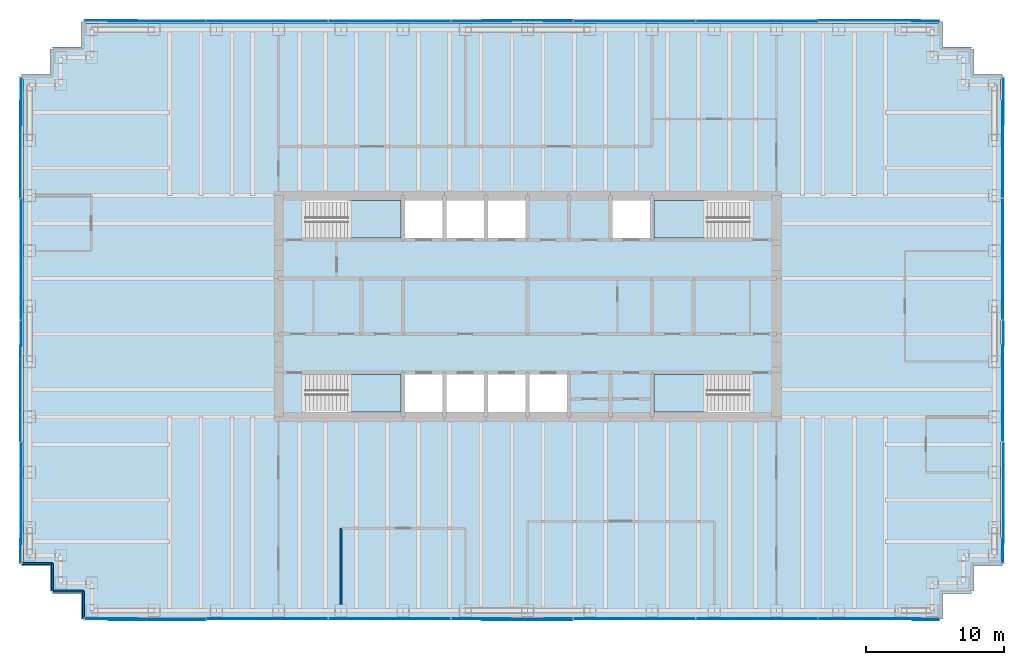
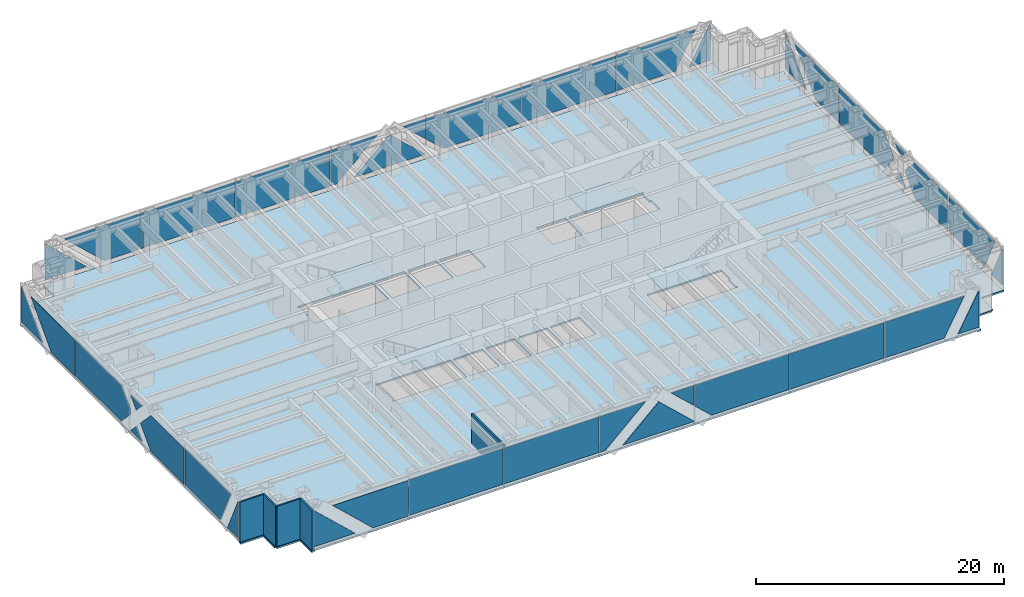
# One storey, part 10 of 15: 38 plates, 5 slabs, 5 walls, 8 elements without a shape of their own.
"""IFC4 building model written with IfcOpenShell, lengths in metres."""

from ifc_helpers import new_model, si_unit, direction, frame, frame_2d, origin, origin_2d, place, context, subcontext, project, spatial, polyline, rectangle, outline, extrude, material, layer, layer_set, type_object, element, aggregate, save


model = new_model("IFC4")

# Units and contexts
model_context = context("Model", 3, precision=1e-05, world=origin(), true_north=direction((0.0, 1.0)))
body_context = subcontext(model_context, "Body", "Model", "MODEL_VIEW")
ifc_project = project(units=[si_unit("LENGTHUNIT", "METRE"), si_unit("AREAUNIT", "SQUARE_METRE"), si_unit("VOLUMEUNIT", "CUBIC_METRE"), si_unit("PLANEANGLEUNIT", "RADIAN"), si_unit("MASSUNIT", "GRAM", prefix="KILO")], contexts=[model_context])

# Site, building, storey
site_placement = place(None, origin())
site = spatial("IfcSite", under=ifc_project, at=site_placement, CompositionType="ELEMENT")
building_placement = place(site_placement, origin())
building = spatial("IfcBuilding", under=site, at=building_placement, Name="Rheinbord Bourse Tower", CompositionType="ELEMENT")
storey_placement = place(building_placement, frame((0.0, 0.0, 329.89990234375)))
storey = spatial("IfcBuildingStorey", under=building, at=storey_placement, Name="L75", CompositionType="ELEMENT", Elevation=329.89990234375)

# Slab
ifc_material_1 = material(Name="Concrete C30/37", Category="concrete")
ifc_layer_1 = layer(ifc_material_1, 0.159912109375)
ifc_layer_set_1 = layer_set([ifc_layer_1], Name="COMPOSITE FLOOR SLAB 160")
slab_type_1 = type_object("IfcSlabType", Name="COMPOSITE FLOOR SLAB 160", PredefinedType="FLOOR", material=ifc_layer_set_1)
slab_1_placement = place(storey_placement, frame((0.0, 0.0, -0.159912109375)))
element("IfcSlab", 1, at=slab_1_placement, inside=storey, type_object=slab_type_1, Name="Floor slab L75", PredefinedType="FLOOR", context=body_context, shape_type="SweptSolid", body=[
    extrude(outline(polyline([(1.64990234375, 3.39990234375), (1.5, 3.39990234375), (1.5, 5.25), (-0.60009765625, 5.25), (-0.60009765625, 5.550048828125), (-0.5, 5.550048828125), (-0.5, 40.449951171875), (-0.60009765625, 40.449951171875), (-0.60009765625, 40.75), (1.5, 40.75), (1.5, 42.60009765625), (1.64990234375, 42.60009765625), (1.64990234375, 42.75), (3.75, 42.75), (3.75, 44.60009765625), (4.050048828125, 44.60009765625), (4.050048828125, 44.5), (65.699951171875, 44.5), (65.699951171875, 44.60009765625), (66.0, 44.60009765625), (66.0, 42.75), (68.10009765625, 42.75), (68.10009765625, 42.60009765625), (68.25, 42.60009765625), (68.25, 40.75), (70.35009765625, 40.75), (70.35009765625, 40.449951171875), (70.25, 40.449951171875), (70.25, 5.550048828125), (70.35009765625, 5.550048828125), (70.35009765625, 5.25), (68.25, 5.25), (68.25, 3.39990234375), (68.10009765625, 3.39990234375), (68.10009765625, 3.25), (66.0, 3.25), (66.0, 1.39990234375), (65.699951171875, 1.39990234375), (65.699951171875, 1.5), (4.050048828125, 1.5), (4.050048828125, 1.39990234375), (3.75, 1.39990234375), (3.75, 3.25), (1.64990234375, 3.25), (1.64990234375, 3.39990234375)]), holes=[polyline([(19.949951171875, 19.050048828125), (26.85009765625, 19.050048828125), (26.85009765625, 16.35009765625), (19.949951171875, 16.35009765625), (19.949951171875, 16.449951171875), (20.10009765625, 16.449951171875), (20.10009765625, 17.64990234375), (19.949951171875, 17.64990234375), (19.949951171875, 19.050048828125)]), polyline([(19.949951171875, 31.64990234375), (26.85009765625, 31.64990234375), (26.85009765625, 28.949951171875), (19.949951171875, 28.949951171875), (19.949951171875, 30.35009765625), (20.10009765625, 30.35009765625), (20.10009765625, 31.550048828125), (19.949951171875, 31.550048828125), (19.949951171875, 31.64990234375)]), polyline([(52.050048828125, 16.35009765625), (45.14990234375, 16.35009765625), (45.14990234375, 19.050048828125), (52.050048828125, 19.050048828125), (52.050048828125, 17.64990234375), (51.89990234375, 17.64990234375), (51.89990234375, 16.449951171875), (52.050048828125, 16.449951171875), (52.050048828125, 16.35009765625)]), polyline([(52.050048828125, 28.949951171875), (45.14990234375, 28.949951171875), (45.14990234375, 31.64990234375), (52.050048828125, 31.64990234375), (52.050048828125, 31.550048828125), (51.89990234375, 31.550048828125), (51.89990234375, 30.35009765625), (52.050048828125, 30.35009765625), (52.050048828125, 28.949951171875)]), polyline([(27.14990234375, 16.35009765625), (27.14990234375, 19.050048828125), (29.85009765625, 19.050048828125), (29.85009765625, 16.35009765625), (27.14990234375, 16.35009765625)]), polyline([(27.14990234375, 28.949951171875), (27.14990234375, 31.64990234375), (29.85009765625, 31.64990234375), (29.85009765625, 28.949951171875), (27.14990234375, 28.949951171875)]), polyline([(30.14990234375, 16.35009765625), (30.14990234375, 19.050048828125), (32.85009765625, 19.050048828125), (32.85009765625, 16.35009765625), (30.14990234375, 16.35009765625)]), polyline([(30.14990234375, 28.949951171875), (30.14990234375, 31.64990234375), (32.85009765625, 31.64990234375), (32.85009765625, 28.949951171875), (30.14990234375, 28.949951171875)]), polyline([(33.14990234375, 16.35009765625), (33.14990234375, 19.050048828125), (35.85009765625, 19.050048828125), (35.85009765625, 16.35009765625), (33.14990234375, 16.35009765625)]), polyline([(33.14990234375, 28.949951171875), (33.14990234375, 31.64990234375), (35.85009765625, 31.64990234375), (35.85009765625, 28.949951171875), (33.14990234375, 28.949951171875)]), polyline([(36.14990234375, 16.35009765625), (36.14990234375, 19.050048828125), (38.85009765625, 19.050048828125), (38.85009765625, 16.35009765625), (36.14990234375, 16.35009765625)]), polyline([(42.14990234375, 28.949951171875), (42.14990234375, 31.64990234375), (44.85009765625, 31.64990234375), (44.85009765625, 28.949951171875), (42.14990234375, 28.949951171875)])]), origin(), (0.0, 0.0, 1.0), 0.159912109375),
])

# Curtain wall, plates
ifc_material_2 = material(Name="Dark glass and black aluminium", Category="aluminium")
curtain_wall_type = type_object("IfcCurtainWallType", Name="CW3 DARK GLASS CURTAIN WALL", PredefinedType="USERDEFINED", material=ifc_material_2)
curtain_wall_1_placement = place(storey_placement, origin())
curtain_wall_1 = element("IfcCurtainWall", 2, at=curtain_wall_1_placement, inside=storey, type_object=curtain_wall_type, Name="Curtain wall CW3 S L75", ObjectType="UNITISED CURTAIN WALL", PredefinedType="USERDEFINED")
ifc_material_3 = material(Name="Dark tinted triple insulating glass", Category="glass")
ifc_layer_2 = layer(ifc_material_3, 0.055908203125)
ifc_layer_set_2 = layer_set([ifc_layer_2], Name="CW3 DARK GLASS PANEL")
plate_type = type_object("IfcPlateType", Name="CW3 DARK GLASS PANEL", PredefinedType="CURTAIN_PANEL", material=ifc_layer_set_2)
plate_1_placement = place(storey_placement, frame((17.175048828125, 1.39990234375, 0.35009765625), z_axis=(0.0, 0.0, 1.0), x_axis=(1.0, 0.0, 0.0)))
plate_1 = element("IfcPlate", 3, at=plate_1_placement, type_object=plate_type, Name="CW3 panel 2.1", PredefinedType="CURTAIN_PANEL", context=body_context, shape_type="SweptSolid", body=[
    extrude(rectangle(XDim=8.784912109375, YDim=0.055908203125, at=origin_2d()), origin(), (0.0, 0.0, 1.0), 3.5),
])
plate_2_placement = place(storey_placement, frame((26.02490234375, 1.39990234375, 0.35009765625), z_axis=(0.0, 0.0, 1.0), x_axis=(1.0, 0.0, 0.0)))
plate_2 = element("IfcPlate", 4, at=plate_2_placement, type_object=plate_type, Name="CW3 panel 3.1", PredefinedType="CURTAIN_PANEL", context=body_context, shape_type="SweptSolid", body=[
    extrude(rectangle(XDim=8.784912109375, YDim=0.055908203125, at=origin_2d()), origin(), (0.0, 0.0, 1.0), 3.5),
])
plate_3_placement = place(storey_placement, frame((52.574951171875, 1.39990234375, 0.35009765625), z_axis=(0.0, 0.0, 1.0), x_axis=(1.0, 0.0, 0.0)))
plate_3 = element("IfcPlate", 5, at=plate_3_placement, type_object=plate_type, Name="CW3 panel 6.1", PredefinedType="CURTAIN_PANEL", context=body_context, shape_type="SweptSolid", body=[
    extrude(rectangle(XDim=8.784912109375, YDim=0.055908203125, at=origin_2d()), origin(), (0.0, 0.0, 1.0), 3.5),
])
plate_4_placement = place(storey_placement, frame((3.965087890625, 1.3720703125, 0.35009765625), z_axis=(0.0, 1.0, 0.0), x_axis=(0.0, 0.0, 1.0)))
plate_4 = element("IfcPlate", 6, at=plate_4_placement, type_object=plate_type, Name="CW3 glass facet 1", PredefinedType="CURTAIN_PANEL", context=body_context, shape_type="SweptSolid", body=[
    extrude(outline(polyline([(0.0, 0.0), (3.5, 0.0), (3.5, 0.097900390625), (0.0, 3.847900390625), (0.0, 0.0)])), origin(), (0.0, 0.0, 1.0), 0.055908203125),
])
plate_5_placement = place(storey_placement, frame((12.717041015625, 1.31103515625, 3.85009765625), z_axis=(0.0, 1.0, 0.0), x_axis=(0.0, 0.0, -1.0)))
plate_5 = element("IfcPlate", 7, at=plate_5_placement, type_object=plate_type, Name="CW3 glass facet 2", PredefinedType="CURTAIN_PANEL", context=body_context, shape_type="SweptSolid", body=[
    extrude(outline(polyline([(0.0, 0.0), (3.5, 0.0), (3.5, 3.280029296875), (0.0, 7.030029296875), (0.0, 0.0)])), origin(), (0.0, 0.0, 1.0), 0.055908203125),
])
plate_6_placement = place(storey_placement, frame((30.48193359375, 1.3720703125, 0.35009765625), z_axis=(0.0, 1.0, 0.0), x_axis=(0.0, 0.0, 1.0)))
plate_6 = element("IfcPlate", 8, at=plate_6_placement, type_object=plate_type, Name="CW3 glass facet 1", PredefinedType="CURTAIN_PANEL", context=body_context, shape_type="SweptSolid", body=[
    extrude(outline(polyline([(0.0, 0.0), (3.5, 0.0), (3.5, 4.3310546875), (0.0, 0.5810546875), (0.0, 0.0)])), origin(), (0.0, 0.0, 1.0), 0.055908203125),
])
plate_7_placement = place(storey_placement, frame((39.26806640625, 1.31103515625, 0.35009765625), z_axis=(0.0, 1.0, 0.0), x_axis=(-1.0, 0.0, 0.0)))
plate_7 = element("IfcPlate", 9, at=plate_7_placement, type_object=plate_type, Name="CW3 glass facet 2", PredefinedType="CURTAIN_PANEL", context=body_context, shape_type="SweptSolid", body=[
    extrude(outline(polyline([(0.0, 0.0), (6.5810546875, 0.0), (3.26806640625, 3.092041015625), (0.0, 0.04296875), (0.0, 0.0)])), origin(), (0.0, 0.0, 1.0), 0.055908203125),
])
plate_8_placement = place(storey_placement, frame((39.26806640625, 1.3720703125, 3.85009765625), z_axis=(0.0, 1.0, 0.0), x_axis=(0.0, 0.0, -1.0)))
plate_8 = element("IfcPlate", 10, at=plate_8_placement, type_object=plate_type, Name="CW3 glass facet 3", PredefinedType="CURTAIN_PANEL", context=body_context, shape_type="SweptSolid", body=[
    extrude(outline(polyline([(0.0, 0.0), (1.94189453125, 0.0), (0.0, 2.0810546875), (0.0, 0.0)])), origin(), (0.0, 0.0, 1.0), 0.055908203125),
])
plate_9_placement = place(storey_placement, frame((39.3330078125, 1.3720703125, 3.85009765625), z_axis=(0.0, 1.0, 0.0), x_axis=(1.0, 0.0, 0.0)))
plate_9 = element("IfcPlate", 11, at=plate_9_placement, type_object=plate_type, Name="CW3 glass facet 1", PredefinedType="CURTAIN_PANEL", context=body_context, shape_type="SweptSolid", body=[
    extrude(outline(polyline([(0.0, 0.0), (8.783935546875, 0.0), (8.783935546875, 3.5), (1.60400390625, 3.5), (0.0, 2.0029296875), (0.0, 0.0)])), origin(), (0.0, 0.0, 1.0), 0.055908203125),
])
plate_10_placement = place(storey_placement, frame((57.031982421875, 1.3720703125, 0.35009765625), z_axis=(0.0, 1.0, 0.0), x_axis=(0.0, 0.0, 1.0)))
plate_10 = element("IfcPlate", 12, at=plate_10_placement, type_object=plate_type, Name="CW3 glass facet 1", PredefinedType="CURTAIN_PANEL", context=body_context, shape_type="SweptSolid", body=[
    extrude(outline(polyline([(0.0, 0.0), (3.5, 0.0), (3.5, 7.402099609375), (0.0, 5.527099609375), (0.0, 0.0)])), origin(), (0.0, 0.0, 1.0), 0.055908203125),
])
plate_11_placement = place(storey_placement, frame((65.784912109375, 1.31103515625, 3.85009765625), z_axis=(0.0, 1.0, 0.0), x_axis=(0.0, 0.0, -1.0)))
plate_11 = element("IfcPlate", 13, at=plate_11_placement, type_object=plate_type, Name="CW3 glass facet 2", PredefinedType="CURTAIN_PANEL", context=body_context, shape_type="SweptSolid", body=[
    extrude(outline(polyline([(0.0, 0.0), (3.5, 0.0), (3.5, 1.968994140625), (0.0, 0.093994140625), (0.0, 0.0)])), origin(), (0.0, 0.0, 1.0), 0.055908203125),
])
aggregate(curtain_wall_1, [plate_1, plate_2, plate_3, plate_4, plate_5, plate_6, plate_7, plate_8, plate_9, plate_10, plate_11])

curtain_wall_2_placement = place(storey_placement, origin())
curtain_wall_2 = element("IfcCurtainWall", 14, at=curtain_wall_2_placement, inside=storey, type_object=curtain_wall_type, Name="Curtain wall CW3 E L75", ObjectType="UNITISED CURTAIN WALL", PredefinedType="USERDEFINED")
plate_12_placement = place(storey_placement, frame((70.3779296875, 5.465087890625, 0.35009765625), z_axis=(-1.0, 0.0, 0.0), x_axis=(0.0, 0.0, 1.0)))
plate_12 = element("IfcPlate", 15, at=plate_12_placement, type_object=plate_type, Name="CW3 glass facet 1", PredefinedType="CURTAIN_PANEL", context=body_context, shape_type="SweptSolid", body=[
    extrude(outline(polyline([(0.0, 0.0), (3.5, 0.0), (3.5, 0.087890625), (0.0, 1.7548828125), (0.0, 0.0)])), origin(), (0.0, 0.0, 1.0), 0.055908203125),
])
plate_13_placement = place(storey_placement, frame((70.43896484375, 14.16796875, 3.85009765625), z_axis=(-1.0, 0.0, 0.0), x_axis=(0.0, 0.0, -1.0)))
plate_13 = element("IfcPlate", 16, at=plate_13_placement, type_object=plate_type, Name="CW3 glass facet 2", PredefinedType="CURTAIN_PANEL", context=body_context, shape_type="SweptSolid", body=[
    extrude(outline(polyline([(0.0, 0.0), (3.5, 0.0), (3.5, 5.720947265625), (0.0, 7.387939453125), (0.0, 0.0)])), origin(), (0.0, 0.0, 1.0), 0.055908203125),
])
plate_14_placement = place(storey_placement, frame((70.3779296875, 14.23193359375, 0.35009765625), z_axis=(-1.0, 0.0, 0.0), x_axis=(0.0, 0.0, 1.0)))
plate_14 = element("IfcPlate", 17, at=plate_14_placement, type_object=plate_type, Name="CW3 glass facet 1", PredefinedType="CURTAIN_PANEL", context=body_context, shape_type="SweptSolid", body=[
    extrude(outline(polyline([(0.0, 0.0), (3.5, 0.0), (3.5, 5.336181640625), (1.75, 7.003173828125), (0.0, 5.336181640625), (0.0, 0.0)])), origin(), (0.0, 0.0, 1.0), 0.055908203125),
])
plate_15_placement = place(storey_placement, frame((70.43896484375, 21.097900390625, 0.35009765625), z_axis=(-1.0, 0.0, 0.0), x_axis=(0.0, 0.689725085129, 0.72407134106)))
plate_15 = element("IfcPlate", 18, at=plate_15_placement, type_object=plate_type, Name="CW3 glass facet 2", PredefinedType="CURTAIN_PANEL", context=body_context, shape_type="SweptSolid", body=[
    extrude(outline(polyline([(0.0, 0.0), (1.307861328125, 0.0), (1.244384765625, 1.306396484375), (0.0, 0.0)])), origin(), (0.0, 0.0, 1.0), 0.055908203125),
])
plate_16_placement = place(storey_placement, frame((70.43896484375, 22.902099609375, 3.85009765625), z_axis=(-1.0, 0.0, 0.0), x_axis=(0.0, -0.689725085129, -0.72407134106)))
plate_16 = element("IfcPlate", 19, at=plate_16_placement, type_object=plate_type, Name="CW3 glass facet 3", PredefinedType="CURTAIN_PANEL", context=body_context, shape_type="SweptSolid", body=[
    extrude(outline(polyline([(0.0, 0.0), (1.307861328125, 0.0), (1.244384765625, 1.306396484375), (0.0, 0.0)])), origin(), (0.0, 0.0, 1.0), 0.055908203125),
])
plate_17_placement = place(storey_placement, frame((70.3779296875, 31.76708984375, 3.85009765625), z_axis=(-1.0, 0.0, 0.0), x_axis=(0.0, 0.0, -1.0)))
plate_17 = element("IfcPlate", 20, at=plate_17_placement, type_object=plate_type, Name="CW3 glass facet 1", PredefinedType="CURTAIN_PANEL", context=body_context, shape_type="SweptSolid", body=[
    extrude(outline(polyline([(0.0, 0.0), (3.5, 0.0), (3.5, 7.335205078125), (2.031005859375, 8.735107421875), (1.468994140625, 8.735107421875), (0.0, 7.335205078125), (0.0, 0.0)])), origin(), (0.0, 0.0, 1.0), 0.055908203125),
])
plate_18_placement = place(storey_placement, frame((70.3779296875, 31.8330078125, 0.35009765625), z_axis=(-1.0, 0.0, 0.0), x_axis=(0.0, 0.0, 1.0)))
plate_18 = element("IfcPlate", 21, at=plate_18_placement, type_object=plate_type, Name="CW3 glass facet 1", PredefinedType="CURTAIN_PANEL", context=body_context, shape_type="SweptSolid", body=[
    extrude(outline(polyline([(0.0, 0.0), (3.5, 0.0), (3.5, 7.069091796875), (0.0, 3.735107421875), (0.0, 0.0)])), origin(), (0.0, 0.0, 1.0), 0.055908203125),
])
plate_19_placement = place(storey_placement, frame((70.43896484375, 40.534912109375, 3.85009765625), z_axis=(-1.0, 0.0, 0.0), x_axis=(0.0, 0.0, -1.0)))
plate_19 = element("IfcPlate", 22, at=plate_19_placement, type_object=plate_type, Name="CW3 glass facet 2", PredefinedType="CURTAIN_PANEL", context=body_context, shape_type="SweptSolid", body=[
    extrude(outline(polyline([(0.0, 0.0), (3.5, 0.0), (3.5, 3.43701171875), (0.0, 0.10302734375), (0.0, 0.0)])), origin(), (0.0, 0.0, 1.0), 0.055908203125),
])
aggregate(curtain_wall_2, [plate_12, plate_13, plate_14, plate_15, plate_16, plate_17, plate_18, plate_19])

curtain_wall_3_placement = place(storey_placement, origin())
curtain_wall_3 = element("IfcCurtainWall", 23, at=curtain_wall_3_placement, inside=storey, type_object=curtain_wall_type, Name="Curtain wall CW3 N L75", ObjectType="UNITISED CURTAIN WALL", PredefinedType="USERDEFINED")
plate_20_placement = place(storey_placement, frame((52.574951171875, 44.60009765625, 0.35009765625), z_axis=(0.0, 0.0, 1.0), x_axis=(-1.0, 0.0, 0.0)))
plate_20 = element("IfcPlate", 24, at=plate_20_placement, type_object=plate_type, Name="CW3 panel 2.1", PredefinedType="CURTAIN_PANEL", context=body_context, shape_type="SweptSolid", body=[
    extrude(rectangle(XDim=8.784912109375, YDim=0.055908203125, at=origin_2d()), origin(), (0.0, 0.0, 1.0), 3.5),
])
plate_21_placement = place(storey_placement, frame((26.02490234375, 44.60009765625, 0.35009765625), z_axis=(0.0, 0.0, 1.0), x_axis=(-1.0, 0.0, 0.0)))
plate_21 = element("IfcPlate", 25, at=plate_21_placement, type_object=plate_type, Name="CW3 panel 5.1", PredefinedType="CURTAIN_PANEL", context=body_context, shape_type="SweptSolid", body=[
    extrude(rectangle(XDim=8.784912109375, YDim=0.055908203125, at=origin_2d()), origin(), (0.0, 0.0, 1.0), 3.5),
])
plate_22_placement = place(storey_placement, frame((17.175048828125, 44.60009765625, 0.35009765625), z_axis=(0.0, 0.0, 1.0), x_axis=(-1.0, 0.0, 0.0)))
plate_22 = element("IfcPlate", 26, at=plate_22_placement, type_object=plate_type, Name="CW3 panel 6.1", PredefinedType="CURTAIN_PANEL", context=body_context, shape_type="SweptSolid", body=[
    extrude(rectangle(XDim=8.784912109375, YDim=0.055908203125, at=origin_2d()), origin(), (0.0, 0.0, 1.0), 3.5),
])
plate_23_placement = place(storey_placement, frame((65.784912109375, 44.6279296875, 0.35009765625), z_axis=(0.0, -1.0, 0.0), x_axis=(0.0, 0.0, 1.0)))
plate_23 = element("IfcPlate", 27, at=plate_23_placement, type_object=plate_type, Name="CW3 glass facet 1", PredefinedType="CURTAIN_PANEL", context=body_context, shape_type="SweptSolid", body=[
    extrude(outline(polyline([(0.0, 0.0), (3.5, 0.0), (3.5, 0.093994140625), (0.0, 1.968994140625), (0.0, 0.0)])), origin(), (0.0, 0.0, 1.0), 0.055908203125),
])
plate_24_placement = place(storey_placement, frame((57.031982421875, 44.68896484375, 3.85009765625), z_axis=(0.0, -1.0, 0.0), x_axis=(0.0, 0.0, -1.0)))
plate_24 = element("IfcPlate", 28, at=plate_24_placement, type_object=plate_type, Name="CW3 glass facet 2", PredefinedType="CURTAIN_PANEL", context=body_context, shape_type="SweptSolid", body=[
    extrude(outline(polyline([(0.0, 0.0), (3.5, 0.0), (3.5, 5.527099609375), (0.0, 7.402099609375), (0.0, 0.0)])), origin(), (0.0, 0.0, 1.0), 0.055908203125),
])
plate_25_placement = place(storey_placement, frame((48.116943359375, 44.6279296875, 0.35009765625), z_axis=(0.0, -1.0, 0.0), x_axis=(0.0, 0.0, 1.0)))
plate_25 = element("IfcPlate", 29, at=plate_25_placement, type_object=plate_type, Name="CW3 glass facet 1", PredefinedType="CURTAIN_PANEL", context=body_context, shape_type="SweptSolid", body=[
    extrude(outline(polyline([(0.0, 0.0), (3.5, 0.0), (3.5, 8.784912109375), (1.4970703125, 8.784912109375), (0.0, 7.179931640625), (0.0, 0.0)])), origin(), (0.0, 0.0, 1.0), 0.055908203125),
])
plate_26_placement = place(storey_placement, frame((39.26708984375, 44.6279296875, 3.85009765625), z_axis=(0.0, -1.0, 0.0), x_axis=(-1.0, 0.0, 0.0)))
plate_26 = element("IfcPlate", 30, at=plate_26_placement, type_object=plate_type, Name="CW3 glass facet 1", PredefinedType="CURTAIN_PANEL", context=body_context, shape_type="SweptSolid", body=[
    extrude(outline(polyline([(0.0, 0.0), (2.080078125, 0.0), (0.0, 1.94189453125), (0.0, 0.0)])), origin(), (0.0, 0.0, 1.0), 0.055908203125),
])
plate_27_placement = place(storey_placement, frame((39.26708984375, 44.68896484375, 0.35009765625), z_axis=(0.0, -1.0, 0.0), x_axis=(0.0, 0.0, 1.0)))
plate_27 = element("IfcPlate", 31, at=plate_27_placement, type_object=plate_type, Name="CW3 glass facet 2", PredefinedType="CURTAIN_PANEL", context=body_context, shape_type="SweptSolid", body=[
    extrude(outline(polyline([(0.0, 0.0), (0.04296875, 0.0), (3.092041015625, 3.26708984375), (0.0, 6.580078125), (0.0, 0.0)])), origin(), (0.0, 0.0, 1.0), 0.055908203125),
])
plate_28_placement = place(storey_placement, frame((30.48291015625, 44.6279296875, 3.85009765625), z_axis=(0.0, -1.0, 0.0), x_axis=(0.0, 0.0, -1.0)))
plate_28 = element("IfcPlate", 32, at=plate_28_placement, type_object=plate_type, Name="CW3 glass facet 3", PredefinedType="CURTAIN_PANEL", context=body_context, shape_type="SweptSolid", body=[
    extrude(outline(polyline([(0.0, 0.0), (3.5, 0.0), (3.5, 0.580078125), (0.0, 4.330078125), (0.0, 0.0)])), origin(), (0.0, 0.0, 1.0), 0.055908203125),
])
plate_29_placement = place(storey_placement, frame((12.718017578125, 44.6279296875, 0.35009765625), z_axis=(0.0, -1.0, 0.0), x_axis=(0.0, 0.0, 1.0)))
plate_29 = element("IfcPlate", 33, at=plate_29_placement, type_object=plate_type, Name="CW3 glass facet 1", PredefinedType="CURTAIN_PANEL", context=body_context, shape_type="SweptSolid", body=[
    extrude(outline(polyline([(0.0, 0.0), (3.5, 0.0), (3.5, 7.031005859375), (0.0, 3.281005859375), (0.0, 0.0)])), origin(), (0.0, 0.0, 1.0), 0.055908203125),
])
plate_30_placement = place(storey_placement, frame((3.965087890625, 44.68896484375, 3.85009765625), z_axis=(0.0, -1.0, 0.0), x_axis=(0.0, 0.0, -1.0)))
plate_30 = element("IfcPlate", 34, at=plate_30_placement, type_object=plate_type, Name="CW3 glass facet 2", PredefinedType="CURTAIN_PANEL", context=body_context, shape_type="SweptSolid", body=[
    extrude(outline(polyline([(0.0, 0.0), (3.5, 0.0), (3.5, 3.847900390625), (0.0, 0.097900390625), (0.0, 0.0)])), origin(), (0.0, 0.0, 1.0), 0.055908203125),
])
aggregate(curtain_wall_3, [plate_20, plate_21, plate_22, plate_23, plate_24, plate_25, plate_26, plate_27, plate_28, plate_29, plate_30])

curtain_wall_4_placement = place(storey_placement, origin())
curtain_wall_4 = element("IfcCurtainWall", 35, at=curtain_wall_4_placement, inside=storey, type_object=curtain_wall_type, Name="Curtain wall CW3 W L75", ObjectType="UNITISED CURTAIN WALL", PredefinedType="USERDEFINED")
plate_31_placement = place(storey_placement, frame((-0.6279296875, 40.534912109375, 0.35009765625), z_axis=(1.0, 0.0, 0.0), x_axis=(0.0, 0.0, 1.0)))
plate_31 = element("IfcPlate", 36, at=plate_31_placement, type_object=plate_type, Name="CW3 glass facet 1", PredefinedType="CURTAIN_PANEL", context=body_context, shape_type="SweptSolid", body=[
    extrude(outline(polyline([(0.0, 0.0), (3.5, 0.0), (3.5, 0.10302734375), (0.0, 3.43701171875), (0.0, 0.0)])), origin(), (0.0, 0.0, 1.0), 0.055908203125),
])
plate_32_placement = place(storey_placement, frame((-0.68896484375, 31.8330078125, 3.85009765625), z_axis=(1.0, 0.0, 0.0), x_axis=(0.0, 0.0, -1.0)))
plate_32 = element("IfcPlate", 37, at=plate_32_placement, type_object=plate_type, Name="CW3 glass facet 2", PredefinedType="CURTAIN_PANEL", context=body_context, shape_type="SweptSolid", body=[
    extrude(outline(polyline([(0.0, 0.0), (3.5, 0.0), (3.5, 3.735107421875), (0.0, 7.069091796875), (0.0, 0.0)])), origin(), (0.0, 0.0, 1.0), 0.055908203125),
])
plate_33_placement = place(storey_placement, frame((-0.6279296875, 31.76708984375, 0.35009765625), z_axis=(1.0, 0.0, 0.0), x_axis=(0.0, 0.0, 1.0)))
plate_33 = element("IfcPlate", 38, at=plate_33_placement, type_object=plate_type, Name="CW3 glass facet 1", PredefinedType="CURTAIN_PANEL", context=body_context, shape_type="SweptSolid", body=[
    extrude(outline(polyline([(0.0, 0.0), (3.5, 0.0), (3.5, 7.335205078125), (2.031005859375, 8.735107421875), (1.468994140625, 8.735107421875), (0.0, 7.335205078125), (0.0, 0.0)])), origin(), (0.0, 0.0, 1.0), 0.055908203125),
])
plate_34_placement = place(storey_placement, frame((-0.6279296875, 22.902099609375, 0.35009765625), z_axis=(1.0, 0.0, 0.0), x_axis=(0.0, -0.689725085129, 0.72407134106)))
plate_34 = element("IfcPlate", 39, at=plate_34_placement, type_object=plate_type, Name="CW3 glass facet 1", PredefinedType="CURTAIN_PANEL", context=body_context, shape_type="SweptSolid", body=[
    extrude(outline(polyline([(0.0, 0.0), (1.307861328125, 0.0), (1.244384765625, 1.306396484375), (0.0, 0.0)])), origin(), (0.0, 0.0, 1.0), 0.055908203125),
])
plate_35_placement = place(storey_placement, frame((-0.6279296875, 21.097900390625, 3.85009765625), z_axis=(1.0, 0.0, 0.0), x_axis=(0.0, 0.689725085129, -0.72407134106)))
plate_35 = element("IfcPlate", 40, at=plate_35_placement, type_object=plate_type, Name="CW3 glass facet 2", PredefinedType="CURTAIN_PANEL", context=body_context, shape_type="SweptSolid", body=[
    extrude(outline(polyline([(0.0, 0.0), (1.307861328125, 0.0), (1.244384765625, 1.306396484375), (0.0, 0.0)])), origin(), (0.0, 0.0, 1.0), 0.055908203125),
])
plate_36_placement = place(storey_placement, frame((-0.68896484375, 14.23291015625, 3.85009765625), z_axis=(1.0, 0.0, 0.0), x_axis=(0.0, 0.0, -1.0)))
plate_36 = element("IfcPlate", 41, at=plate_36_placement, type_object=plate_type, Name="CW3 glass facet 3", PredefinedType="CURTAIN_PANEL", context=body_context, shape_type="SweptSolid", body=[
    extrude(outline(polyline([(0.0, 0.0), (3.5, 0.0), (3.5, 5.335205078125), (1.75, 7.002197265625), (0.0, 5.335205078125), (0.0, 0.0)])), origin(), (0.0, 0.0, 1.0), 0.055908203125),
])
plate_37_placement = place(storey_placement, frame((-0.6279296875, 14.1669921875, 0.35009765625), z_axis=(1.0, 0.0, 0.0), x_axis=(0.0, 0.0, 1.0)))
plate_37 = element("IfcPlate", 42, at=plate_37_placement, type_object=plate_type, Name="CW3 glass facet 1", PredefinedType="CURTAIN_PANEL", context=body_context, shape_type="SweptSolid", body=[
    extrude(outline(polyline([(0.0, 0.0), (3.5, 0.0), (3.5, 7.386962890625), (0.0, 5.719970703125), (0.0, 0.0)])), origin(), (0.0, 0.0, 1.0), 0.055908203125),
])
plate_38_placement = place(storey_placement, frame((-0.68896484375, 5.465087890625, 3.85009765625), z_axis=(1.0, 0.0, 0.0), x_axis=(0.0, 0.0, -1.0)))
plate_38 = element("IfcPlate", 43, at=plate_38_placement, type_object=plate_type, Name="CW3 glass facet 2", PredefinedType="CURTAIN_PANEL", context=body_context, shape_type="SweptSolid", body=[
    extrude(outline(polyline([(0.0, 0.0), (3.5, 0.0), (3.5, 1.7548828125), (0.0, 0.087890625), (0.0, 0.0)])), origin(), (0.0, 0.0, 1.0), 0.055908203125),
])
aggregate(curtain_wall_4, [plate_31, plate_32, plate_33, plate_34, plate_35, plate_36, plate_37, plate_38])

# Stair, slab
ifc_material_4 = material(Name="Concrete C30/37", Category="concrete")
stair_type = type_object("IfcStairType", Name="CORE STAIR HALF TURN 4200", PredefinedType="HALF_TURN_STAIR", material=ifc_material_4)
stair_1_placement = place(storey_placement, origin())
stair_1 = element("IfcStair", 44, at=stair_1_placement, inside=storey, type_object=stair_type, Name="Stair ST1 L75, type CS6", PredefinedType="HALF_TURN_STAIR")
ifc_material_5 = material(Name="Concrete C30/37", Category="concrete")
ifc_layer_3 = layer(ifc_material_5, 0.199951171875)
ifc_layer_set_3 = layer_set([ifc_layer_3], Name="STAIR LANDING 200")
slab_type_2 = type_object("IfcSlabType", Name="STAIR LANDING 200", PredefinedType="LANDING", material=ifc_layer_set_3)
slab_2_placement = place(storey_placement, frame((0.0, 0.0, 1.900146484375)))
slab_2 = element("IfcSlab", 45, at=slab_2_placement, type_object=slab_type_2, Name="Half landing ST1 L75", PredefinedType="LANDING", context=body_context, shape_type="SweptSolid", body=[
    extrude(outline(polyline([(23.030029296875, 16.35009765625), (26.85009765625, 16.35009765625), (26.85009765625, 19.050048828125), (21.748046875, 19.050048828125), (21.748046875, 17.85009765625), (23.030029296875, 17.85009765625), (23.030029296875, 16.35009765625)])), origin(), (0.0, 0.0, 1.0), 0.199951171875),
])
aggregate(stair_1, [slab_2])

stair_2_placement = place(storey_placement, origin())
stair_2 = element("IfcStair", 46, at=stair_2_placement, inside=storey, type_object=stair_type, Name="Stair ST2 L75, type CS6", PredefinedType="HALF_TURN_STAIR")
slab_3_placement = place(storey_placement, frame((0.0, 0.0, 1.900146484375)))
slab_3 = element("IfcSlab", 47, at=slab_3_placement, type_object=slab_type_2, Name="Half landing ST2 L75", PredefinedType="LANDING", context=body_context, shape_type="SweptSolid", body=[
    extrude(outline(polyline([(21.748046875, 28.949951171875), (26.85009765625, 28.949951171875), (26.85009765625, 31.64990234375), (23.030029296875, 31.64990234375), (23.030029296875, 30.14990234375), (21.748046875, 30.14990234375), (21.748046875, 28.949951171875)])), origin(), (0.0, 0.0, 1.0), 0.199951171875),
])
aggregate(stair_2, [slab_3])

stair_3_placement = place(storey_placement, origin())
stair_3 = element("IfcStair", 48, at=stair_3_placement, inside=storey, type_object=stair_type, Name="Stair ST3 L75, type CS6", PredefinedType="HALF_TURN_STAIR")
slab_4_placement = place(storey_placement, frame((0.0, 0.0, 1.900146484375)))
slab_4 = element("IfcSlab", 49, at=slab_4_placement, type_object=slab_type_2, Name="Half landing ST3 L75", PredefinedType="LANDING", context=body_context, shape_type="SweptSolid", body=[
    extrude(outline(polyline([(45.14990234375, 16.35009765625), (48.969970703125, 16.35009765625), (48.969970703125, 17.85009765625), (50.251953125, 17.85009765625), (50.251953125, 19.050048828125), (45.14990234375, 19.050048828125), (45.14990234375, 16.35009765625)])), origin(), (0.0, 0.0, 1.0), 0.199951171875),
])
aggregate(stair_3, [slab_4])

stair_4_placement = place(storey_placement, origin())
stair_4 = element("IfcStair", 50, at=stair_4_placement, inside=storey, type_object=stair_type, Name="Stair ST4 L75, type CS6", PredefinedType="HALF_TURN_STAIR")
slab_5_placement = place(storey_placement, frame((0.0, 0.0, 1.900146484375)))
slab_5 = element("IfcSlab", 51, at=slab_5_placement, type_object=slab_type_2, Name="Half landing ST4 L75", PredefinedType="LANDING", context=body_context, shape_type="SweptSolid", body=[
    extrude(outline(polyline([(45.14990234375, 28.949951171875), (50.251953125, 28.949951171875), (50.251953125, 30.14990234375), (48.969970703125, 30.14990234375), (48.969970703125, 31.64990234375), (45.14990234375, 31.64990234375), (45.14990234375, 28.949951171875)])), origin(), (0.0, 0.0, 1.0), 0.199951171875),
])
aggregate(stair_4, [slab_5])

# Walls
ifc_material_6 = material(Name="Black metal rainscreen panel", Category="aluminium")
ifc_layer_4 = layer(ifc_material_6, 0.14990234375)
ifc_layer_set_4 = layer_set([ifc_layer_4], Name="CORNER PIER CLADDING 150")
wall_type_1 = type_object("IfcWallType", Name="CORNER PIER CLADDING 150", PredefinedType="ELEMENTEDWALL", material=ifc_layer_set_4)
wall_1_placement = place(storey_placement, frame((-0.60009765625, 5.39990234375, 0.0), z_axis=(0.0, 0.0, 1.0), x_axis=(1.0, 0.0, 0.0)))
element("IfcWall", 52, at=wall_1_placement, inside=storey, type_object=wall_type_1, Name="Corner pier cladding L75 17", PredefinedType="ELEMENTEDWALL", context=body_context, shape_type="SweptSolid", body=[
    extrude(rectangle(XDim=2.25, YDim=0.14990234375, at=frame_2d((1.125, 0.0))), origin(), (0.0, 0.0, 1.0), 3.9501953125),
])
wall_2_placement = place(storey_placement, frame((1.64990234375, 5.39990234375, 0.0), z_axis=(0.0, 0.0, 1.0), x_axis=(0.0, -1.0, 0.0)))
element("IfcWall", 53, at=wall_2_placement, inside=storey, type_object=wall_type_1, Name="Corner pier cladding L75 18", PredefinedType="ELEMENTEDWALL", context=body_context, shape_type="SweptSolid", body=[
    extrude(rectangle(XDim=2.0, YDim=0.14990234375, at=frame_2d((1.0, 0.0))), origin(), (0.0, 0.0, 1.0), 3.9501953125),
])
wall_3_placement = place(storey_placement, frame((1.64990234375, 3.39990234375, 0.0), z_axis=(0.0, 0.0, 1.0), x_axis=(1.0, 0.0, 0.0)))
element("IfcWall", 54, at=wall_3_placement, inside=storey, type_object=wall_type_1, Name="Corner pier cladding L75 19", PredefinedType="ELEMENTEDWALL", context=body_context, shape_type="SweptSolid", body=[
    extrude(rectangle(XDim=2.25, YDim=0.14990234375, at=frame_2d((1.125, 0.0))), origin(), (0.0, 0.0, 1.0), 3.9501953125),
])
wall_4_placement = place(storey_placement, frame((3.89990234375, 3.39990234375, 0.0), z_axis=(0.0, 0.0, 1.0), x_axis=(0.0, -1.0, 0.0)))
element("IfcWall", 55, at=wall_4_placement, inside=storey, type_object=wall_type_1, Name="Corner pier cladding L75 20", PredefinedType="ELEMENTEDWALL", context=body_context, shape_type="SweptSolid", body=[
    extrude(rectangle(XDim=2.0, YDim=0.14990234375, at=frame_2d((1.0, 0.0))), origin(), (0.0, 0.0, 1.0), 3.9501953125),
])
ifc_material_7 = material(Name="Gypsum board partition", Category="gypsum board")
ifc_layer_5 = layer(ifc_material_7, 0.14990234375)
ifc_layer_set_5 = layer_set([ifc_layer_5], Name="PARTITION 150")
wall_type_2 = type_object("IfcWallType", Name="PARTITION 150", PredefinedType="PARTITIONING", material=ifc_layer_set_5)
wall_5_placement = place(storey_placement, frame((22.5, 2.449951171875, 0.0), z_axis=(0.0, 0.0, 1.0), x_axis=(0.0, 1.0, 0.0)))
element("IfcWall", 56, at=wall_5_placement, inside=storey, type_object=wall_type_2, Name="Partition L75-15", PredefinedType="PARTITIONING", context=body_context, shape_type="SweptSolid", body=[
    extrude(rectangle(XDim=5.5, YDim=0.14990234375, at=frame_2d((2.75, 0.0))), origin(), (0.0, 0.0, 1.0), 3.0),
])

save(model, "model.ifc")
